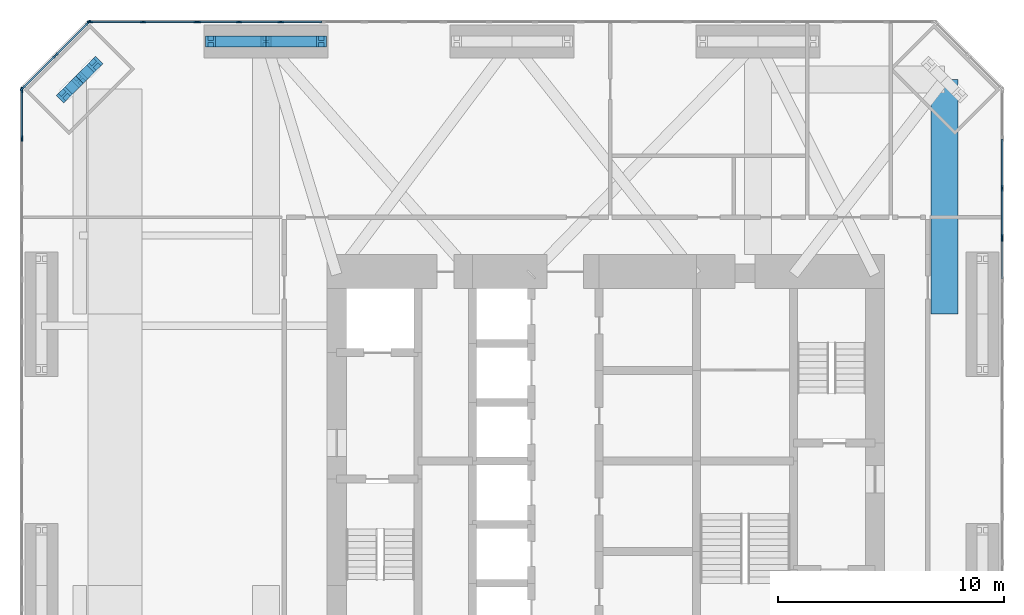
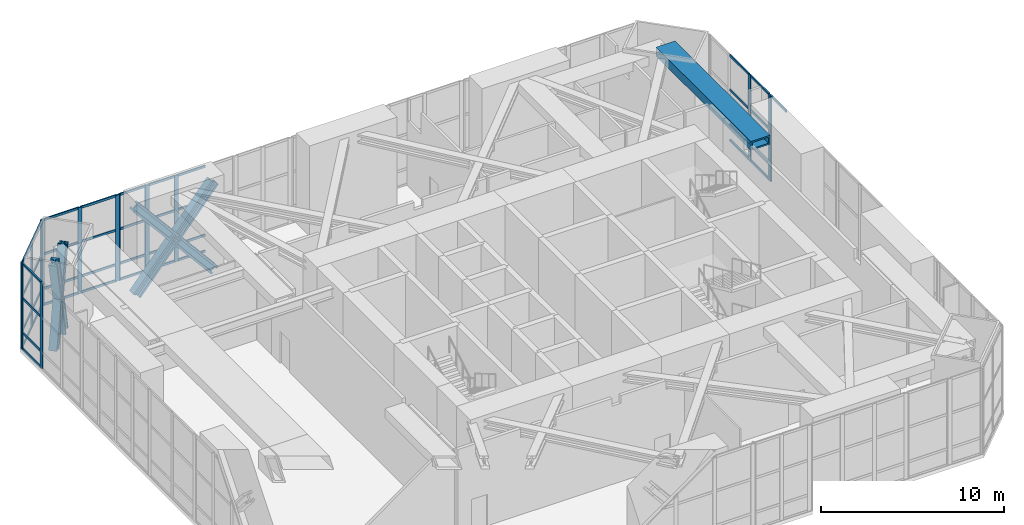
# One storey, part 7 of 18: 63 members, 1 beam, 6 elements without a shape of their own.
"""IFC4 building model written with IfcOpenShell, lengths in metres."""

from ifc_helpers import new_model, si_unit, direction, frame, origin, origin_2d, place, context, subcontext, project, spatial, rectangle, hollow_rectangle, i_section, extrude, material, material_profile, profile_set, type_object, element, aggregate, save


model = new_model("IFC4")

# Units and contexts
model_context = context("Model", 3, precision=1e-05, world=origin(), true_north=direction((0.0, 1.0)))
body_context = subcontext(model_context, "Body", "Model", "MODEL_VIEW")
ifc_project = project(units=[si_unit("LENGTHUNIT", "METRE"), si_unit("AREAUNIT", "SQUARE_METRE"), si_unit("VOLUMEUNIT", "CUBIC_METRE"), si_unit("PLANEANGLEUNIT", "RADIAN"), si_unit("MASSUNIT", "GRAM", prefix="KILO")], contexts=[model_context])

# Site, building, storey
site_placement = place(None, origin())
site = spatial("IfcSite", under=ifc_project, at=site_placement, CompositionType="ELEMENT")
building_placement = place(site_placement, origin())
building = spatial("IfcBuilding", under=site, at=building_placement, Name="Jalousie Tower", CompositionType="ELEMENT")
storey_placement = place(building_placement, frame((0.0, 0.0, 138.35009765625)))
storey = spatial("IfcBuildingStorey", under=building, at=storey_placement, Name="L38", CompositionType="ELEMENT", Elevation=138.35009765625)

# Beam
ifc_material_1 = material(Name="Steel ASTM A572 Grade 50 plate", Category="steel")
ifc_material_profile_1 = material_profile(ifc_material_1, hollow_rectangle(XDim=1.199951171875, YDim=0.60009765625, WallThickness=0.10009765625, at=origin_2d()), Name="BOX 600x1200x100")
ifc_profile_set_1 = profile_set([ifc_material_profile_1], Name="Steel ASTM A572 Grade 50 plate")
beam_type = type_object("IfcBeamType", Name="KINK TIE BOX 600x1200x100", PredefinedType="BEAM", material=ifc_profile_set_1)
beam_placement = place(storey_placement, frame((46.86865234375, 35.36865234375, 5.419921875), z_axis=(0.0, -1.0, 0.0), x_axis=(1.0, 0.0, 0.0)))
element("IfcBeam", 1, at=beam_placement, inside=storey, type_object=beam_type, Name="Kink tie under L39", PredefinedType="BEAM", context=body_context, shape_type="SweptSolid", body=[
    extrude(hollow_rectangle(XDim=1.199951171875, YDim=0.60009765625, WallThickness=0.10009765625, at=origin_2d()), origin(), (0.0, 0.0, 1.0), 10.36865234375),
])

# Members
ifc_material_2 = material(Name="Steel ASTM A992 Grade 50", Category="steel")
ifc_material_profile_2 = material_profile(ifc_material_2, i_section(OverallWidth=0.472412109375, OverallDepth=0.5791015625, WebThickness=0.094970703125, FlangeThickness=0.1298828125, at=origin_2d()), Name="W14X808")
ifc_profile_set_2 = profile_set([ifc_material_profile_2], Name="Steel ASTM A992 Grade 50")
member_type_1 = type_object("IfcMemberType", Name="PERIMETER BRACE W14X808", PredefinedType="BRACE", material=ifc_profile_set_2)
for number, where, z_axis, x_axis, name in (
    (2, (14.425048828125, 37.050048828125, -0.60009765625), (0.642101988506, 0.0, 0.766619225141), (0.0, 1.0, 0.0), "Perimeter brace 11 L38 part 1"),
    (3, (16.875, 37.050048828125, 2.324951171875), (0.642101988506, 0.0, 0.766619225141), (0.0, 1.0, 0.0), "Perimeter brace 11 L38 part 2"),
    (4, (19.324951171875, 37.050048828125, -0.60009765625), (-0.642101988506, 0.0, 0.766619225141), (0.0, -1.0, 0.0), "Perimeter brace 11 L38 part 3"),
    (5, (16.875, 37.050048828125, 2.324951171875), (-0.642101988506, 0.0, 0.766619225141), (0.0, -1.0, 0.0), "Perimeter brace 11 L38 part 4"),
):
    element("IfcMember", number, at=place(storey_placement, frame(where, z_axis=z_axis, x_axis=x_axis)), inside=storey, type_object=member_type_1, Name=name, PredefinedType="BRACE", context=body_context, shape_type="SweptSolid", body=[
        extrude(i_section(OverallWidth=0.472412109375, OverallDepth=0.5791015625, WebThickness=0.094970703125, FlangeThickness=0.1298828125, at=origin_2d()), origin(), (0.0, 0.0, 1.0), 3.8154296875),
    ])
for number, where, z_axis, x_axis, name in (
    (6, (9.302978515625, 36.040283203125, -0.60009765625), (-0.218388113995, -0.218388113995, 0.951111593522), (0.707106781187, -0.707106781187, 0.0), "Perimeter brace 12 L38 part 1"),
    (7, (8.63134765625, 35.36865234375, 2.324951171875), (-0.218388113995, -0.218388113995, 0.951111593522), (0.707106781187, -0.707106781187, 0.0), "Perimeter brace 12 L38 part 2"),
    (8, (7.959716796875, 34.697021484375, -0.60009765625), (0.218388113995, 0.218388113995, 0.951111593522), (-0.707106781187, 0.707106781187, 0.0), "Perimeter brace 12 L38 part 3"),
    (9, (8.63134765625, 35.36865234375, 2.324951171875), (0.218388113995, 0.218388113995, 0.951111593522), (-0.707106781187, 0.707106781187, 0.0), "Perimeter brace 12 L38 part 4"),
):
    element("IfcMember", number, at=place(storey_placement, frame(where, z_axis=z_axis, x_axis=x_axis)), inside=storey, type_object=member_type_1, Name=name, PredefinedType="BRACE", context=body_context, shape_type="SweptSolid", body=[
        extrude(i_section(OverallWidth=0.472412109375, OverallDepth=0.5791015625, WebThickness=0.094970703125, FlangeThickness=0.1298828125, at=origin_2d()), origin(), (0.0, 0.0, 1.0), 3.075439453125),
    ])

# Curtain wall, member
ifc_material_3 = material(Name="Aluminium curtain wall", Category="aluminium")
curtain_wall_type_1 = type_object("IfcCurtainWallType", Name="SKY LOUNGE SPANDREL WALL", PredefinedType="USERDEFINED", material=ifc_material_3)
curtain_wall_1_placement = place(storey_placement, origin())
curtain_wall_1 = element("IfcCurtainWall", 10, at=curtain_wall_1_placement, inside=storey, type_object=curtain_wall_type_1, Name="Sky Lounge Spandrel Wall L38 25", ObjectType="SKY LOUNGE SPANDREL WALL", PredefinedType="USERDEFINED")
ifc_material_4 = material(Name="Aluminium mullion", Category="aluminium")
ifc_material_profile_3 = material_profile(ifc_material_4, rectangle(XDim=0.074951171875, YDim=0.25, at=origin_2d()), Name="MULLION 75x250")
ifc_profile_set_3 = profile_set([ifc_material_profile_3], Name="Aluminium mullion")
member_type_2 = type_object("IfcMemberType", Name="SKY LOUNGE SPANDREL WALL MULLION", PredefinedType="MULLION", material=ifc_profile_set_3)
member_1_placement = place(storey_placement, frame((49.41259765625, 28.335205078125, 0.0), z_axis=(0.0, 0.0, 1.0), x_axis=(-1.0, 0.0, 0.0)))
member_1 = element("IfcMember", 11, at=member_1_placement, type_object=member_type_2, Name="CW-KS mullion 5", PredefinedType="MULLION", context=body_context, shape_type="SweptSolid", body=[
    extrude(rectangle(XDim=0.074951171875, YDim=0.25, at=origin_2d()), origin(), (0.0, 0.0, 1.0), 5.719970703125),
])

# Curtain wall, members
curtain_wall_2_placement = place(storey_placement, origin())
curtain_wall_2 = element("IfcCurtainWall", 12, at=curtain_wall_2_placement, inside=storey, type_object=curtain_wall_type_1, Name="Sky Lounge Spandrel Wall L38 46", ObjectType="SKY LOUNGE SPANDREL WALL", PredefinedType="USERDEFINED")
member_2_placement = place(storey_placement, frame((17.52783203125, 37.91259765625, 0.0), z_axis=(0.0, 0.0, 1.0), x_axis=(0.0, -1.0, 0.0)))
member_2 = element("IfcMember", 13, at=member_2_placement, type_object=member_type_2, Name="CW-KS mullion 3", PredefinedType="MULLION", context=body_context, shape_type="SweptSolid", body=[
    extrude(rectangle(XDim=0.074951171875, YDim=0.25, at=origin_2d()), origin(), (0.0, 0.0, 1.0), 5.719970703125),
])
member_3_placement = place(storey_placement, frame((15.681640625, 37.91259765625, 0.0), z_axis=(0.0, 0.0, 1.0), x_axis=(0.0, -1.0, 0.0)))
member_3 = element("IfcMember", 14, at=member_3_placement, type_object=member_type_2, Name="CW-KS mullion 4", PredefinedType="MULLION", context=body_context, shape_type="SweptSolid", body=[
    extrude(rectangle(XDim=0.074951171875, YDim=0.25, at=origin_2d()), origin(), (0.0, 0.0, 1.0), 5.719970703125),
])
member_4_placement = place(storey_placement, frame((13.873046875, 37.91259765625, 0.0), z_axis=(0.0, 0.0, 1.0), x_axis=(0.0, -1.0, 0.0)))
member_4 = element("IfcMember", 15, at=member_4_placement, type_object=member_type_2, Name="CW-KS mullion 5", PredefinedType="MULLION", context=body_context, shape_type="SweptSolid", body=[
    extrude(rectangle(XDim=0.074951171875, YDim=0.25, at=origin_2d()), origin(), (0.0, 0.0, 1.0), 5.719970703125),
])

curtain_wall_3_placement = place(storey_placement, origin())
curtain_wall_3 = element("IfcCurtainWall", 16, at=curtain_wall_3_placement, inside=storey, type_object=curtain_wall_type_1, Name="Sky Lounge Spandrel Wall L38 6", ObjectType="SKY LOUNGE SPANDREL WALL", PredefinedType="USERDEFINED")
member_5_placement = place(storey_placement, frame((9.02490234375, 37.885986328125, 0.0), z_axis=(0.0, 0.0, 1.0), x_axis=(0.707106781187, -0.707106781187, 0.0)))
member_5 = element("IfcMember", 17, at=member_5_placement, type_object=member_type_2, Name="CW-KS mullion 1", PredefinedType="MULLION", context=body_context, shape_type="SweptSolid", body=[
    extrude(rectangle(XDim=0.074951171875, YDim=0.25, at=origin_2d()), origin(), (0.0, 0.0, 1.0), 5.719970703125),
])
member_6_placement = place(storey_placement, frame((7.5693359375, 36.4306640625, 0.0), z_axis=(0.0, 0.0, 1.0), x_axis=(0.707106781187, -0.707106781187, 0.0)))
member_6 = element("IfcMember", 18, at=member_6_placement, type_object=member_type_2, Name="CW-KS mullion 2", PredefinedType="MULLION", context=body_context, shape_type="SweptSolid", body=[
    extrude(rectangle(XDim=0.074951171875, YDim=0.25, at=origin_2d()), origin(), (0.0, 0.0, 1.0), 5.719970703125),
])
member_7_placement = place(storey_placement, frame((6.114013671875, 34.97509765625, 0.0), z_axis=(0.0, 0.0, 1.0), x_axis=(0.707106781187, -0.707106781187, 0.0)))
member_7 = element("IfcMember", 19, at=member_7_placement, type_object=member_type_2, Name="CW-KS mullion 3", PredefinedType="MULLION", context=body_context, shape_type="SweptSolid", body=[
    extrude(rectangle(XDim=0.074951171875, YDim=0.25, at=origin_2d()), origin(), (0.0, 0.0, 1.0), 5.719970703125),
])

# Member
ifc_material_5 = material(Name="Aluminium transom", Category="aluminium")
ifc_material_profile_4 = material_profile(ifc_material_5, rectangle(XDim=0.074951171875, YDim=0.14990234375, at=origin_2d()), Name="TRANSOM 75x150")
ifc_profile_set_4 = profile_set([ifc_material_profile_4], Name="Aluminium transom")
member_type_3 = type_object("IfcMemberType", Name="SKY LOUNGE SPANDREL WALL TRANSOM", PredefinedType="USERDEFINED", material=ifc_profile_set_4)
member_8_placement = place(storey_placement, frame((49.41259765625, 26.56201171875, 5.682373046875), z_axis=(0.0, 1.0, 0.0), x_axis=(-1.0, 0.0, 0.0)))
member_8 = element("IfcMember", 20, at=member_8_placement, type_object=member_type_3, Name="CW-KS transom 4.4", ObjectType="TRANSOM", PredefinedType="USERDEFINED", context=body_context, shape_type="SweptSolid", body=[
    extrude(rectangle(XDim=0.074951171875, YDim=0.14990234375, at=origin_2d()), origin(), (0.0, 0.0, 1.0), 1.735595703125),
])

aggregate(curtain_wall_1, [member_1, member_8])

member_9_placement = place(storey_placement, frame((19.33642578125, 37.91259765625, 0.037353515625), z_axis=(-1.0, 0.0, 0.0), x_axis=(0.0, -1.0, 0.0)))
member_9 = element("IfcMember", 21, at=member_9_placement, type_object=member_type_3, Name="CW-KS transom 2.1", ObjectType="TRANSOM", PredefinedType="USERDEFINED", context=body_context, shape_type="SweptSolid", body=[
    extrude(rectangle(XDim=0.074951171875, YDim=0.14990234375, at=origin_2d()), origin(), (0.0, 0.0, 1.0), 1.771240234375),
])

member_10_placement = place(storey_placement, frame((19.33642578125, 37.91259765625, 1.099853515625), z_axis=(-1.0, 0.0, 0.0), x_axis=(0.0, -1.0, 0.0)))
member_10 = element("IfcMember", 22, at=member_10_placement, type_object=member_type_3, Name="CW-KS transom 2.2", ObjectType="TRANSOM", PredefinedType="USERDEFINED", context=body_context, shape_type="SweptSolid", body=[
    extrude(rectangle(XDim=0.074951171875, YDim=0.14990234375, at=origin_2d()), origin(), (0.0, 0.0, 1.0), 1.771240234375),
])

member_11_placement = place(storey_placement, frame((19.33642578125, 37.91259765625, 3.39990234375), z_axis=(-1.0, 0.0, 0.0), x_axis=(0.0, -1.0, 0.0)))
member_11 = element("IfcMember", 23, at=member_11_placement, type_object=member_type_3, Name="CW-KS transom 2.3", ObjectType="TRANSOM", PredefinedType="USERDEFINED", context=body_context, shape_type="SweptSolid", body=[
    extrude(rectangle(XDim=0.074951171875, YDim=0.14990234375, at=origin_2d()), origin(), (0.0, 0.0, 1.0), 1.771240234375),
])

member_12_placement = place(storey_placement, frame((19.33642578125, 37.91259765625, 5.682373046875), z_axis=(-1.0, 0.0, 0.0), x_axis=(0.0, -1.0, 0.0)))
member_12 = element("IfcMember", 24, at=member_12_placement, type_object=member_type_3, Name="CW-KS transom 2.4", ObjectType="TRANSOM", PredefinedType="USERDEFINED", context=body_context, shape_type="SweptSolid", body=[
    extrude(rectangle(XDim=0.074951171875, YDim=0.14990234375, at=origin_2d()), origin(), (0.0, 0.0, 1.0), 1.771240234375),
])

member_13_placement = place(storey_placement, frame((17.490234375, 37.91259765625, 0.037353515625), z_axis=(-1.0, 0.0, 0.0), x_axis=(0.0, -1.0, 0.0)))
member_13 = element("IfcMember", 25, at=member_13_placement, type_object=member_type_3, Name="CW-KS transom 3.1", ObjectType="TRANSOM", PredefinedType="USERDEFINED", context=body_context, shape_type="SweptSolid", body=[
    extrude(rectangle(XDim=0.074951171875, YDim=0.14990234375, at=origin_2d()), origin(), (0.0, 0.0, 1.0), 1.77099609375),
])

member_14_placement = place(storey_placement, frame((17.490234375, 37.91259765625, 1.099853515625), z_axis=(-1.0, 0.0, 0.0), x_axis=(0.0, -1.0, 0.0)))
member_14 = element("IfcMember", 26, at=member_14_placement, type_object=member_type_3, Name="CW-KS transom 3.2", ObjectType="TRANSOM", PredefinedType="USERDEFINED", context=body_context, shape_type="SweptSolid", body=[
    extrude(rectangle(XDim=0.074951171875, YDim=0.14990234375, at=origin_2d()), origin(), (0.0, 0.0, 1.0), 1.77099609375),
])

member_15_placement = place(storey_placement, frame((17.490234375, 37.91259765625, 3.39990234375), z_axis=(-1.0, 0.0, 0.0), x_axis=(0.0, -1.0, 0.0)))
member_15 = element("IfcMember", 27, at=member_15_placement, type_object=member_type_3, Name="CW-KS transom 3.3", ObjectType="TRANSOM", PredefinedType="USERDEFINED", context=body_context, shape_type="SweptSolid", body=[
    extrude(rectangle(XDim=0.074951171875, YDim=0.14990234375, at=origin_2d()), origin(), (0.0, 0.0, 1.0), 1.77099609375),
])

member_16_placement = place(storey_placement, frame((17.490234375, 37.91259765625, 5.682373046875), z_axis=(-1.0, 0.0, 0.0), x_axis=(0.0, -1.0, 0.0)))
member_16 = element("IfcMember", 28, at=member_16_placement, type_object=member_type_3, Name="CW-KS transom 3.4", ObjectType="TRANSOM", PredefinedType="USERDEFINED", context=body_context, shape_type="SweptSolid", body=[
    extrude(rectangle(XDim=0.074951171875, YDim=0.14990234375, at=origin_2d()), origin(), (0.0, 0.0, 1.0), 1.77099609375),
])

member_17_placement = place(storey_placement, frame((15.64404296875, 37.91259765625, 0.037353515625), z_axis=(-1.0, 0.0, 0.0), x_axis=(0.0, -1.0, 0.0)))
member_17 = element("IfcMember", 29, at=member_17_placement, type_object=member_type_3, Name="CW-KS transom 4.1", ObjectType="TRANSOM", PredefinedType="USERDEFINED", context=body_context, shape_type="SweptSolid", body=[
    extrude(rectangle(XDim=0.074951171875, YDim=0.14990234375, at=origin_2d()), origin(), (0.0, 0.0, 1.0), 1.733642578125),
])

member_18_placement = place(storey_placement, frame((15.64404296875, 37.91259765625, 1.099853515625), z_axis=(-1.0, 0.0, 0.0), x_axis=(0.0, -1.0, 0.0)))
member_18 = element("IfcMember", 30, at=member_18_placement, type_object=member_type_3, Name="CW-KS transom 4.2", ObjectType="TRANSOM", PredefinedType="USERDEFINED", context=body_context, shape_type="SweptSolid", body=[
    extrude(rectangle(XDim=0.074951171875, YDim=0.14990234375, at=origin_2d()), origin(), (0.0, 0.0, 1.0), 1.733642578125),
])

member_19_placement = place(storey_placement, frame((15.64404296875, 37.91259765625, 3.39990234375), z_axis=(-1.0, 0.0, 0.0), x_axis=(0.0, -1.0, 0.0)))
member_19 = element("IfcMember", 31, at=member_19_placement, type_object=member_type_3, Name="CW-KS transom 4.3", ObjectType="TRANSOM", PredefinedType="USERDEFINED", context=body_context, shape_type="SweptSolid", body=[
    extrude(rectangle(XDim=0.074951171875, YDim=0.14990234375, at=origin_2d()), origin(), (0.0, 0.0, 1.0), 1.733642578125),
])

member_20_placement = place(storey_placement, frame((15.64404296875, 37.91259765625, 5.682373046875), z_axis=(-1.0, 0.0, 0.0), x_axis=(0.0, -1.0, 0.0)))
member_20 = element("IfcMember", 32, at=member_20_placement, type_object=member_type_3, Name="CW-KS transom 4.4", ObjectType="TRANSOM", PredefinedType="USERDEFINED", context=body_context, shape_type="SweptSolid", body=[
    extrude(rectangle(XDim=0.074951171875, YDim=0.14990234375, at=origin_2d()), origin(), (0.0, 0.0, 1.0), 1.733642578125),
])

aggregate(curtain_wall_2, [member_2, member_3, member_4, member_9, member_10, member_11, member_12, member_13, member_14, member_15, member_16, member_17, member_18, member_19, member_20])

member_21_placement = place(storey_placement, frame((8.998291015625, 37.859375, 0.037353515625), z_axis=(-0.707106781187, -0.707106781187, 0.0), x_axis=(0.707106781187, -0.707106781187, 0.0)))
member_21 = element("IfcMember", 33, at=member_21_placement, type_object=member_type_3, Name="CW-KS transom 1.1", ObjectType="TRANSOM", PredefinedType="USERDEFINED", context=body_context, shape_type="SweptSolid", body=[
    extrude(rectangle(XDim=0.074951171875, YDim=0.14990234375, at=origin_2d()), origin(), (0.0, 0.0, 1.0), 1.983154296875),
])

member_22_placement = place(storey_placement, frame((8.998291015625, 37.859375, 1.099853515625), z_axis=(-0.707106781187, -0.707106781187, 0.0), x_axis=(0.707106781187, -0.707106781187, 0.0)))
member_22 = element("IfcMember", 34, at=member_22_placement, type_object=member_type_3, Name="CW-KS transom 1.2", ObjectType="TRANSOM", PredefinedType="USERDEFINED", context=body_context, shape_type="SweptSolid", body=[
    extrude(rectangle(XDim=0.074951171875, YDim=0.14990234375, at=origin_2d()), origin(), (0.0, 0.0, 1.0), 1.983154296875),
])

member_23_placement = place(storey_placement, frame((8.998291015625, 37.859375, 3.39990234375), z_axis=(-0.707106781187, -0.707106781187, 0.0), x_axis=(0.707106781187, -0.707106781187, 0.0)))
member_23 = element("IfcMember", 35, at=member_23_placement, type_object=member_type_3, Name="CW-KS transom 1.3", ObjectType="TRANSOM", PredefinedType="USERDEFINED", context=body_context, shape_type="SweptSolid", body=[
    extrude(rectangle(XDim=0.074951171875, YDim=0.14990234375, at=origin_2d()), origin(), (0.0, 0.0, 1.0), 1.983154296875),
])

member_24_placement = place(storey_placement, frame((8.998291015625, 37.859375, 5.682373046875), z_axis=(-0.707106781187, -0.707106781187, 0.0), x_axis=(0.707106781187, -0.707106781187, 0.0)))
member_24 = element("IfcMember", 36, at=member_24_placement, type_object=member_type_3, Name="CW-KS transom 1.4", ObjectType="TRANSOM", PredefinedType="USERDEFINED", context=body_context, shape_type="SweptSolid", body=[
    extrude(rectangle(XDim=0.074951171875, YDim=0.14990234375, at=origin_2d()), origin(), (0.0, 0.0, 1.0), 1.983154296875),
])

member_25_placement = place(storey_placement, frame((7.54296875, 36.404052734375, 0.037353515625), z_axis=(-0.707106781187, -0.707106781187, 0.0), x_axis=(0.707106781187, -0.707106781187, 0.0)))
member_25 = element("IfcMember", 37, at=member_25_placement, type_object=member_type_3, Name="CW-KS transom 2.1", ObjectType="TRANSOM", PredefinedType="USERDEFINED", context=body_context, shape_type="SweptSolid", body=[
    extrude(rectangle(XDim=0.074951171875, YDim=0.14990234375, at=origin_2d()), origin(), (0.0, 0.0, 1.0), 1.983154296875),
])

member_26_placement = place(storey_placement, frame((7.54296875, 36.404052734375, 1.099853515625), z_axis=(-0.707106781187, -0.707106781187, 0.0), x_axis=(0.707106781187, -0.707106781187, 0.0)))
member_26 = element("IfcMember", 38, at=member_26_placement, type_object=member_type_3, Name="CW-KS transom 2.2", ObjectType="TRANSOM", PredefinedType="USERDEFINED", context=body_context, shape_type="SweptSolid", body=[
    extrude(rectangle(XDim=0.074951171875, YDim=0.14990234375, at=origin_2d()), origin(), (0.0, 0.0, 1.0), 1.983154296875),
])

member_27_placement = place(storey_placement, frame((7.54296875, 36.404052734375, 3.39990234375), z_axis=(-0.707106781187, -0.707106781187, 0.0), x_axis=(0.707106781187, -0.707106781187, 0.0)))
member_27 = element("IfcMember", 39, at=member_27_placement, type_object=member_type_3, Name="CW-KS transom 2.3", ObjectType="TRANSOM", PredefinedType="USERDEFINED", context=body_context, shape_type="SweptSolid", body=[
    extrude(rectangle(XDim=0.074951171875, YDim=0.14990234375, at=origin_2d()), origin(), (0.0, 0.0, 1.0), 1.983154296875),
])

member_28_placement = place(storey_placement, frame((7.54296875, 36.404052734375, 5.682373046875), z_axis=(-0.707106781187, -0.707106781187, 0.0), x_axis=(0.707106781187, -0.707106781187, 0.0)))
member_28 = element("IfcMember", 40, at=member_28_placement, type_object=member_type_3, Name="CW-KS transom 2.4", ObjectType="TRANSOM", PredefinedType="USERDEFINED", context=body_context, shape_type="SweptSolid", body=[
    extrude(rectangle(XDim=0.074951171875, YDim=0.14990234375, at=origin_2d()), origin(), (0.0, 0.0, 1.0), 1.983154296875),
])

aggregate(curtain_wall_3, [member_5, member_6, member_7, member_21, member_22, member_23, member_24, member_25, member_26, member_27, member_28])

# Curtain wall, members
ifc_material_6 = material(Name="Aluminium curtain wall", Category="aluminium")
curtain_wall_type_2 = type_object("IfcCurtainWallType", Name="SKY LOUNGE WINDOW WALL", PredefinedType="USERDEFINED", material=ifc_material_6)
curtain_wall_4_placement = place(storey_placement, origin())
curtain_wall_4 = element("IfcCurtainWall", 41, at=curtain_wall_4_placement, inside=storey, type_object=curtain_wall_type_2, Name="Sky Lounge Window Wall L38 26", ObjectType="SKY LOUNGE WINDOW WALL", PredefinedType="USERDEFINED")
ifc_material_7 = material(Name="Aluminium mullion", Category="aluminium")
ifc_material_profile_5 = material_profile(ifc_material_7, rectangle(XDim=0.074951171875, YDim=0.25, at=origin_2d()), Name="MULLION 75x250")
ifc_profile_set_5 = profile_set([ifc_material_profile_5], Name="Aluminium mullion")
member_type_4 = type_object("IfcMemberType", Name="SKY LOUNGE WINDOW WALL MULLION", PredefinedType="MULLION", material=ifc_profile_set_5)
member_29_placement = place(storey_placement, frame((49.41259765625, 28.41015625, 0.0), z_axis=(0.0, 0.0, 1.0), x_axis=(-1.0, 0.0, 0.0)))
member_29 = element("IfcMember", 42, at=member_29_placement, type_object=member_type_4, Name="CW-K mullion 1", PredefinedType="MULLION", context=body_context, shape_type="SweptSolid", body=[
    extrude(rectangle(XDim=0.074951171875, YDim=0.25, at=origin_2d()), origin(), (0.0, 0.0, 1.0), 5.719970703125),
])
member_30_placement = place(storey_placement, frame((49.41259765625, 30.564697265625, 0.0), z_axis=(0.0, 0.0, 1.0), x_axis=(-1.0, 0.0, 0.0)))
member_30 = element("IfcMember", 43, at=member_30_placement, type_object=member_type_4, Name="CW-K mullion 2", PredefinedType="MULLION", context=body_context, shape_type="SweptSolid", body=[
    extrude(rectangle(XDim=0.074951171875, YDim=0.25, at=origin_2d()), origin(), (0.0, 0.0, 1.0), 5.719970703125),
])

curtain_wall_5_placement = place(storey_placement, origin())
curtain_wall_5 = element("IfcCurtainWall", 44, at=curtain_wall_5_placement, inside=storey, type_object=curtain_wall_type_2, Name="Sky Lounge Window Wall L38 47", ObjectType="SKY LOUNGE WINDOW WALL", PredefinedType="USERDEFINED")
member_31_placement = place(storey_placement, frame((13.798095703125, 37.91259765625, 0.0), z_axis=(0.0, 0.0, 1.0), x_axis=(0.0, -1.0, 0.0)))
member_31 = element("IfcMember", 45, at=member_31_placement, type_object=member_type_4, Name="CW-K mullion 1", PredefinedType="MULLION", context=body_context, shape_type="SweptSolid", body=[
    extrude(rectangle(XDim=0.074951171875, YDim=0.25, at=origin_2d()), origin(), (0.0, 0.0, 1.0), 5.719970703125),
])
member_32_placement = place(storey_placement, frame((11.443359375, 37.91259765625, 0.0), z_axis=(0.0, 0.0, 1.0), x_axis=(0.0, -1.0, 0.0)))
member_32 = element("IfcMember", 46, at=member_32_placement, type_object=member_type_4, Name="CW-K mullion 2", PredefinedType="MULLION", context=body_context, shape_type="SweptSolid", body=[
    extrude(rectangle(XDim=0.074951171875, YDim=0.25, at=origin_2d()), origin(), (0.0, 0.0, 1.0), 5.719970703125),
])
member_33_placement = place(storey_placement, frame((9.0888671875, 37.91259765625, 0.0), z_axis=(0.0, 0.0, 1.0), x_axis=(0.0, -1.0, 0.0)))
member_33 = element("IfcMember", 47, at=member_33_placement, type_object=member_type_4, Name="CW-K mullion 3", PredefinedType="MULLION", context=body_context, shape_type="SweptSolid", body=[
    extrude(rectangle(XDim=0.074951171875, YDim=0.25, at=origin_2d()), origin(), (0.0, 0.0, 1.0), 5.719970703125),
])

curtain_wall_6_placement = place(storey_placement, origin())
curtain_wall_6 = element("IfcCurtainWall", 48, at=curtain_wall_6_placement, inside=storey, type_object=curtain_wall_type_2, Name="Sky Lounge Window Wall L38 61", ObjectType="SKY LOUNGE WINDOW WALL", PredefinedType="USERDEFINED")
member_34_placement = place(storey_placement, frame((6.08740234375, 34.9111328125, 0.0), z_axis=(0.0, 0.0, 1.0), x_axis=(1.0, 0.0, 0.0)))
member_34 = element("IfcMember", 49, at=member_34_placement, type_object=member_type_4, Name="CW-K mullion 1", PredefinedType="MULLION", context=body_context, shape_type="SweptSolid", body=[
    extrude(rectangle(XDim=0.074951171875, YDim=0.25, at=origin_2d()), origin(), (0.0, 0.0, 1.0), 5.719970703125),
])
member_35_placement = place(storey_placement, frame((6.08740234375, 32.756591796875, 0.0), z_axis=(0.0, 0.0, 1.0), x_axis=(1.0, 0.0, 0.0)))
member_35 = element("IfcMember", 50, at=member_35_placement, type_object=member_type_4, Name="CW-K mullion 2", PredefinedType="MULLION", context=body_context, shape_type="SweptSolid", body=[
    extrude(rectangle(XDim=0.074951171875, YDim=0.25, at=origin_2d()), origin(), (0.0, 0.0, 1.0), 5.719970703125),
])

# Member
ifc_material_8 = material(Name="Aluminium transom", Category="aluminium")
ifc_material_profile_6 = material_profile(ifc_material_8, rectangle(XDim=0.074951171875, YDim=0.14990234375, at=origin_2d()), Name="TRANSOM 75x150")
ifc_profile_set_6 = profile_set([ifc_material_profile_6], Name="Aluminium transom")
member_type_5 = type_object("IfcMemberType", Name="SKY LOUNGE WINDOW WALL TRANSOM", PredefinedType="USERDEFINED", material=ifc_profile_set_6)
member_36_placement = place(storey_placement, frame((49.41259765625, 28.447509765625, 0.037353515625), z_axis=(0.0, 1.0, 0.0), x_axis=(-1.0, 0.0, 0.0)))
member_36 = element("IfcMember", 51, at=member_36_placement, type_object=member_type_5, Name="CW-K transom 1.1", ObjectType="TRANSOM", PredefinedType="USERDEFINED", context=body_context, shape_type="SweptSolid", body=[
    extrude(rectangle(XDim=0.074951171875, YDim=0.14990234375, at=origin_2d()), origin(), (0.0, 0.0, 1.0), 2.07958984375),
])

member_37_placement = place(storey_placement, frame((49.41259765625, 28.447509765625, 1.099853515625), z_axis=(0.0, 1.0, 0.0), x_axis=(-1.0, 0.0, 0.0)))
member_37 = element("IfcMember", 52, at=member_37_placement, type_object=member_type_5, Name="CW-K transom 1.2", ObjectType="TRANSOM", PredefinedType="USERDEFINED", context=body_context, shape_type="SweptSolid", body=[
    extrude(rectangle(XDim=0.074951171875, YDim=0.14990234375, at=origin_2d()), origin(), (0.0, 0.0, 1.0), 2.07958984375),
])

member_38_placement = place(storey_placement, frame((49.41259765625, 28.447509765625, 3.39990234375), z_axis=(0.0, 1.0, 0.0), x_axis=(-1.0, 0.0, 0.0)))
member_38 = element("IfcMember", 53, at=member_38_placement, type_object=member_type_5, Name="CW-K transom 1.3", ObjectType="TRANSOM", PredefinedType="USERDEFINED", context=body_context, shape_type="SweptSolid", body=[
    extrude(rectangle(XDim=0.074951171875, YDim=0.14990234375, at=origin_2d()), origin(), (0.0, 0.0, 1.0), 2.07958984375),
])

member_39_placement = place(storey_placement, frame((49.41259765625, 28.447509765625, 5.682373046875), z_axis=(0.0, 1.0, 0.0), x_axis=(-1.0, 0.0, 0.0)))
member_39 = element("IfcMember", 54, at=member_39_placement, type_object=member_type_5, Name="CW-K transom 1.4", ObjectType="TRANSOM", PredefinedType="USERDEFINED", context=body_context, shape_type="SweptSolid", body=[
    extrude(rectangle(XDim=0.074951171875, YDim=0.14990234375, at=origin_2d()), origin(), (0.0, 0.0, 1.0), 2.07958984375),
])

member_40_placement = place(storey_placement, frame((49.41259765625, 30.60205078125, 0.037353515625), z_axis=(0.0, 1.0, 0.0), x_axis=(-1.0, 0.0, 0.0)))
member_40 = element("IfcMember", 55, at=member_40_placement, type_object=member_type_5, Name="CW-K transom 2.1", ObjectType="TRANSOM", PredefinedType="USERDEFINED", context=body_context, shape_type="SweptSolid", body=[
    extrude(rectangle(XDim=0.074951171875, YDim=0.14990234375, at=origin_2d()), origin(), (0.0, 0.0, 1.0), 2.1171875),
])

member_41_placement = place(storey_placement, frame((49.41259765625, 30.60205078125, 1.099853515625), z_axis=(0.0, 1.0, 0.0), x_axis=(-1.0, 0.0, 0.0)))
member_41 = element("IfcMember", 56, at=member_41_placement, type_object=member_type_5, Name="CW-K transom 2.2", ObjectType="TRANSOM", PredefinedType="USERDEFINED", context=body_context, shape_type="SweptSolid", body=[
    extrude(rectangle(XDim=0.074951171875, YDim=0.14990234375, at=origin_2d()), origin(), (0.0, 0.0, 1.0), 2.1171875),
])

member_42_placement = place(storey_placement, frame((49.41259765625, 30.60205078125, 3.39990234375), z_axis=(0.0, 1.0, 0.0), x_axis=(-1.0, 0.0, 0.0)))
member_42 = element("IfcMember", 57, at=member_42_placement, type_object=member_type_5, Name="CW-K transom 2.3", ObjectType="TRANSOM", PredefinedType="USERDEFINED", context=body_context, shape_type="SweptSolid", body=[
    extrude(rectangle(XDim=0.074951171875, YDim=0.14990234375, at=origin_2d()), origin(), (0.0, 0.0, 1.0), 2.1171875),
])

member_43_placement = place(storey_placement, frame((49.41259765625, 30.60205078125, 5.682373046875), z_axis=(0.0, 1.0, 0.0), x_axis=(-1.0, 0.0, 0.0)))
member_43 = element("IfcMember", 58, at=member_43_placement, type_object=member_type_5, Name="CW-K transom 2.4", ObjectType="TRANSOM", PredefinedType="USERDEFINED", context=body_context, shape_type="SweptSolid", body=[
    extrude(rectangle(XDim=0.074951171875, YDim=0.14990234375, at=origin_2d()), origin(), (0.0, 0.0, 1.0), 2.1171875),
])

aggregate(curtain_wall_4, [member_29, member_30, member_36, member_37, member_38, member_39, member_40, member_41, member_42, member_43])

member_44_placement = place(storey_placement, frame((13.760498046875, 37.91259765625, 0.037353515625), z_axis=(-1.0, 0.0, 0.0), x_axis=(0.0, -1.0, 0.0)))
member_44 = element("IfcMember", 59, at=member_44_placement, type_object=member_type_5, Name="CW-K transom 1.1", ObjectType="TRANSOM", PredefinedType="USERDEFINED", context=body_context, shape_type="SweptSolid", body=[
    extrude(rectangle(XDim=0.074951171875, YDim=0.14990234375, at=origin_2d()), origin(), (0.0, 0.0, 1.0), 2.279541015625),
])

member_45_placement = place(storey_placement, frame((13.760498046875, 37.91259765625, 1.099853515625), z_axis=(-1.0, 0.0, 0.0), x_axis=(0.0, -1.0, 0.0)))
member_45 = element("IfcMember", 60, at=member_45_placement, type_object=member_type_5, Name="CW-K transom 1.2", ObjectType="TRANSOM", PredefinedType="USERDEFINED", context=body_context, shape_type="SweptSolid", body=[
    extrude(rectangle(XDim=0.074951171875, YDim=0.14990234375, at=origin_2d()), origin(), (0.0, 0.0, 1.0), 2.279541015625),
])

member_46_placement = place(storey_placement, frame((13.760498046875, 37.91259765625, 3.39990234375), z_axis=(-1.0, 0.0, 0.0), x_axis=(0.0, -1.0, 0.0)))
member_46 = element("IfcMember", 61, at=member_46_placement, type_object=member_type_5, Name="CW-K transom 1.3", ObjectType="TRANSOM", PredefinedType="USERDEFINED", context=body_context, shape_type="SweptSolid", body=[
    extrude(rectangle(XDim=0.074951171875, YDim=0.14990234375, at=origin_2d()), origin(), (0.0, 0.0, 1.0), 2.279541015625),
])

member_47_placement = place(storey_placement, frame((13.760498046875, 37.91259765625, 5.682373046875), z_axis=(-1.0, 0.0, 0.0), x_axis=(0.0, -1.0, 0.0)))
member_47 = element("IfcMember", 62, at=member_47_placement, type_object=member_type_5, Name="CW-K transom 1.4", ObjectType="TRANSOM", PredefinedType="USERDEFINED", context=body_context, shape_type="SweptSolid", body=[
    extrude(rectangle(XDim=0.074951171875, YDim=0.14990234375, at=origin_2d()), origin(), (0.0, 0.0, 1.0), 2.279541015625),
])

member_48_placement = place(storey_placement, frame((11.406005859375, 37.91259765625, 0.037353515625), z_axis=(-1.0, 0.0, 0.0), x_axis=(0.0, -1.0, 0.0)))
member_48 = element("IfcMember", 63, at=member_48_placement, type_object=member_type_5, Name="CW-K transom 2.1", ObjectType="TRANSOM", PredefinedType="USERDEFINED", context=body_context, shape_type="SweptSolid", body=[
    extrude(rectangle(XDim=0.074951171875, YDim=0.14990234375, at=origin_2d()), origin(), (0.0, 0.0, 1.0), 2.27978515625),
])

member_49_placement = place(storey_placement, frame((11.406005859375, 37.91259765625, 1.099853515625), z_axis=(-1.0, 0.0, 0.0), x_axis=(0.0, -1.0, 0.0)))
member_49 = element("IfcMember", 64, at=member_49_placement, type_object=member_type_5, Name="CW-K transom 2.2", ObjectType="TRANSOM", PredefinedType="USERDEFINED", context=body_context, shape_type="SweptSolid", body=[
    extrude(rectangle(XDim=0.074951171875, YDim=0.14990234375, at=origin_2d()), origin(), (0.0, 0.0, 1.0), 2.27978515625),
])

member_50_placement = place(storey_placement, frame((11.406005859375, 37.91259765625, 3.39990234375), z_axis=(-1.0, 0.0, 0.0), x_axis=(0.0, -1.0, 0.0)))
member_50 = element("IfcMember", 65, at=member_50_placement, type_object=member_type_5, Name="CW-K transom 2.3", ObjectType="TRANSOM", PredefinedType="USERDEFINED", context=body_context, shape_type="SweptSolid", body=[
    extrude(rectangle(XDim=0.074951171875, YDim=0.14990234375, at=origin_2d()), origin(), (0.0, 0.0, 1.0), 2.27978515625),
])

member_51_placement = place(storey_placement, frame((11.406005859375, 37.91259765625, 5.682373046875), z_axis=(-1.0, 0.0, 0.0), x_axis=(0.0, -1.0, 0.0)))
member_51 = element("IfcMember", 66, at=member_51_placement, type_object=member_type_5, Name="CW-K transom 2.4", ObjectType="TRANSOM", PredefinedType="USERDEFINED", context=body_context, shape_type="SweptSolid", body=[
    extrude(rectangle(XDim=0.074951171875, YDim=0.14990234375, at=origin_2d()), origin(), (0.0, 0.0, 1.0), 2.27978515625),
])

aggregate(curtain_wall_5, [member_31, member_32, member_33, member_44, member_45, member_46, member_47, member_48, member_49, member_50, member_51])

member_52_placement = place(storey_placement, frame((6.08740234375, 34.873779296875, 0.037353515625), z_axis=(0.0, -1.0, 0.0), x_axis=(1.0, 0.0, 0.0)))
member_52 = element("IfcMember", 67, at=member_52_placement, type_object=member_type_5, Name="CW-K transom 1.1", ObjectType="TRANSOM", PredefinedType="USERDEFINED", context=body_context, shape_type="SweptSolid", body=[
    extrude(rectangle(XDim=0.074951171875, YDim=0.14990234375, at=origin_2d()), origin(), (0.0, 0.0, 1.0), 2.07958984375),
])

member_53_placement = place(storey_placement, frame((6.08740234375, 34.873779296875, 1.099853515625), z_axis=(0.0, -1.0, 0.0), x_axis=(1.0, 0.0, 0.0)))
member_53 = element("IfcMember", 68, at=member_53_placement, type_object=member_type_5, Name="CW-K transom 1.2", ObjectType="TRANSOM", PredefinedType="USERDEFINED", context=body_context, shape_type="SweptSolid", body=[
    extrude(rectangle(XDim=0.074951171875, YDim=0.14990234375, at=origin_2d()), origin(), (0.0, 0.0, 1.0), 2.07958984375),
])

member_54_placement = place(storey_placement, frame((6.08740234375, 34.873779296875, 3.39990234375), z_axis=(0.0, -1.0, 0.0), x_axis=(1.0, 0.0, 0.0)))
member_54 = element("IfcMember", 69, at=member_54_placement, type_object=member_type_5, Name="CW-K transom 1.3", ObjectType="TRANSOM", PredefinedType="USERDEFINED", context=body_context, shape_type="SweptSolid", body=[
    extrude(rectangle(XDim=0.074951171875, YDim=0.14990234375, at=origin_2d()), origin(), (0.0, 0.0, 1.0), 2.07958984375),
])

member_55_placement = place(storey_placement, frame((6.08740234375, 34.873779296875, 5.682373046875), z_axis=(0.0, -1.0, 0.0), x_axis=(1.0, 0.0, 0.0)))
member_55 = element("IfcMember", 70, at=member_55_placement, type_object=member_type_5, Name="CW-K transom 1.4", ObjectType="TRANSOM", PredefinedType="USERDEFINED", context=body_context, shape_type="SweptSolid", body=[
    extrude(rectangle(XDim=0.074951171875, YDim=0.14990234375, at=origin_2d()), origin(), (0.0, 0.0, 1.0), 2.07958984375),
])

aggregate(curtain_wall_6, [member_34, member_35, member_52, member_53, member_54, member_55])

save(model, "model.ifc")
